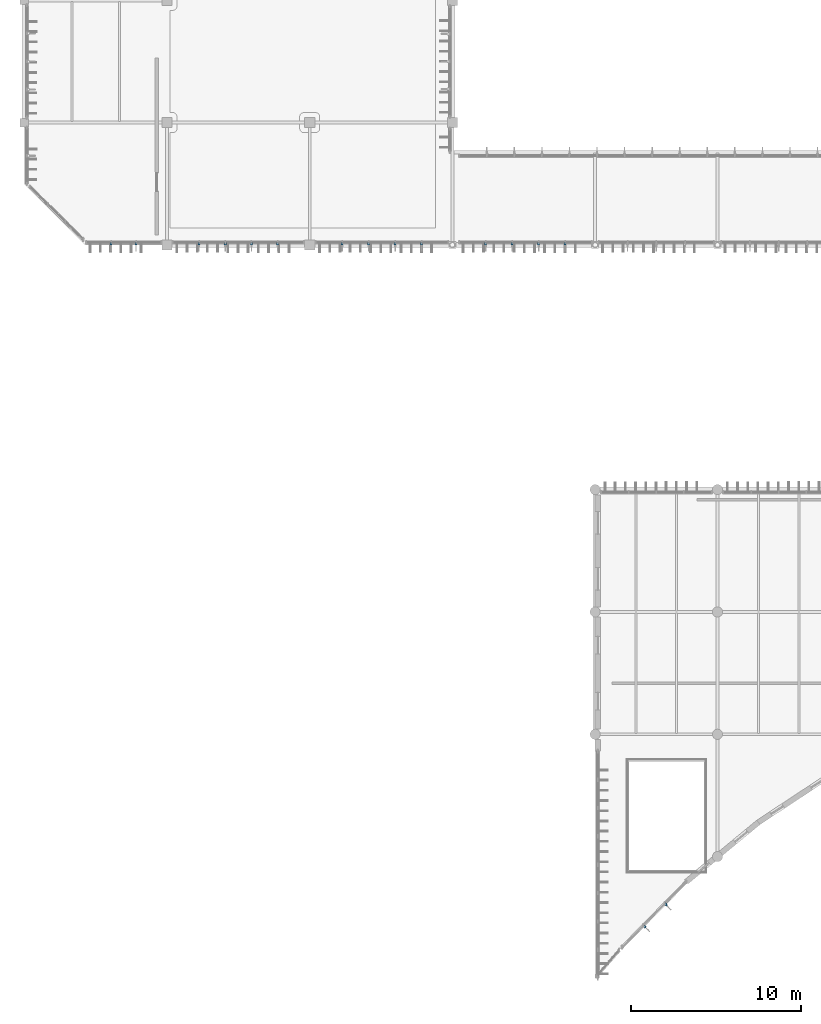
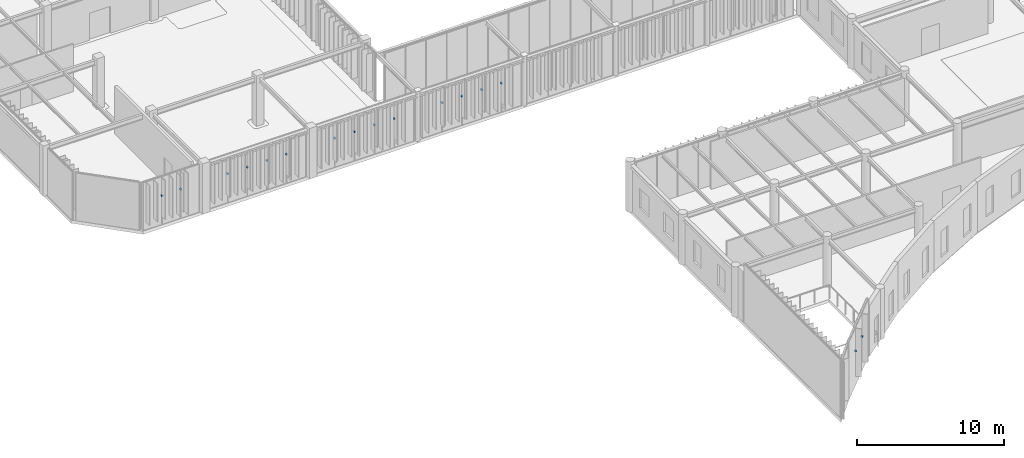
# One storey, part 49 of 104: 16 discrete accessories.
"""IFC4 building model written with IfcOpenShell, lengths in metres."""

from ifc_helpers import new_model, si_unit, direction, frame, origin, origin_2d, place, context, subcontext, project, spatial, rectangle, extrude, material, type_object, element, save


model = new_model("IFC4")

# Units and contexts
model_context = context("Model", 3, precision=1e-05, world=origin(), true_north=direction((0.0, 1.0)))
body_context = subcontext(model_context, "Body", "Model", "MODEL_VIEW")
ifc_project = project(units=[si_unit("LENGTHUNIT", "METRE"), si_unit("AREAUNIT", "SQUARE_METRE"), si_unit("VOLUMEUNIT", "CUBIC_METRE"), si_unit("PLANEANGLEUNIT", "RADIAN"), si_unit("MASSUNIT", "GRAM", prefix="KILO")], contexts=[model_context])

# Site, building, storey
site_placement = place(None, origin())
site = spatial("IfcSite", under=ifc_project, at=site_placement, CompositionType="ELEMENT")
building_placement = place(site_placement, origin())
building = spatial("IfcBuilding", under=site, at=building_placement, Name="Tazoul Stagehouse", CompositionType="ELEMENT")
storey_placement = place(building_placement, frame((0.0, 0.0, 9.0)))
storey = spatial("IfcBuildingStorey", under=building, at=storey_placement, Name="L02", CompositionType="ELEMENT", Elevation=9.0)

# Discrete accessories
ifc_material = material(Name="Austenitic Stainless Steel EN 1.4401", Category="steel")
discrete_accessory_type = type_object("IfcDiscreteAccessoryType", Name="Stainless Steel Louvre Support Cleat Bracket", PredefinedType="BRACKET", material=ifc_material)
for number, where, z_axis, x_axis, name in (
    (1, (38.899169921875, 4.4921875, 2.78564453125), (0.0, 0.0, 1.0), (0.700246698398, 0.713900946479, 0.0), "Cleat Bracket BRK-01 CW-V5-CRN-L02-C02-BRK01"),
    (2, (40.1572265625, 5.774658203125, 2.78564453125), (0.0, 0.0, 1.0), (0.700246698398, 0.713900946479, 0.0), "Cleat Bracket BRK-01 CW-V5-CRN-L02-C02-BRK02"),
    (3, (7.5166015625, 44.669921875, 2.359130859375), (0.0, 0.0, 1.0), (1.0, 0.0, 0.0), "Cleat Bracket BRK-01 CW-V6-S-L02-B1-BRK01"),
    (4, (8.9833984375, 44.669921875, 2.359130859375), (0.0, 0.0, 1.0), (1.0, 0.0, 0.0), "Cleat Bracket BRK-01 CW-V6-S-L02-B1-BRK02"),
    (5, (12.68994140625, 44.669921875, 2.359130859375), (0.0, 0.0, 1.0), (1.0, 0.0, 0.0), "Cleat Bracket BRK-01 CW-V6-S-L02-B2-BRK01"),
    (6, (14.22998046875, 44.669921875, 2.359130859375), (0.0, 0.0, 1.0), (1.0, 0.0, 0.0), "Cleat Bracket BRK-01 CW-V6-S-L02-B2-BRK02"),
    (7, (15.77001953125, 44.669921875, 2.359130859375), (0.0, 0.0, 1.0), (1.0, 0.0, 0.0), "Cleat Bracket BRK-01 CW-V6-S-L02-B2-BRK03"),
    (8, (17.31005859375, 44.669921875, 2.359130859375), (0.0, 0.0, 1.0), (1.0, 0.0, 0.0), "Cleat Bracket BRK-01 CW-V6-S-L02-B2-BRK04"),
    (9, (21.110107421875, 44.669921875, 2.359130859375), (0.0, 0.0, 1.0), (1.0, 0.0, 0.0), "Cleat Bracket BRK-01 CW-V6-S-L02-B3-BRK01"),
    (10, (22.669921875, 44.669921875, 2.359130859375), (0.0, 0.0, 1.0), (1.0, 0.0, 0.0), "Cleat Bracket BRK-01 CW-V6-S-L02-B3-BRK02"),
    (11, (24.22998046875, 44.669921875, 2.359130859375), (0.0, 0.0, 1.0), (1.0, 0.0, 0.0), "Cleat Bracket BRK-01 CW-V6-S-L02-B3-BRK03"),
    (12, (25.7900390625, 44.669921875, 2.359130859375), (0.0, 0.0, 1.0), (1.0, 0.0, 0.0), "Cleat Bracket BRK-01 CW-V6-S-L02-B3-BRK04"),
    (13, (29.5576171875, 44.669921875, 2.3486328125), (0.0, 0.0, 1.0), (1.0, 0.0, 0.0), "Cleat Bracket BRK-01 CW-WLNK-S-L02-B1-BRK01"),
    (14, (31.115234375, 44.669921875, 2.3486328125), (0.0, 0.0, 1.0), (1.0, 0.0, 0.0), "Cleat Bracket BRK-01 CW-WLNK-S-L02-B1-BRK02"),
    (15, (32.6728515625, 44.669921875, 2.3486328125), (0.0, 0.0, 1.0), (1.0, 0.0, 0.0), "Cleat Bracket BRK-01 CW-WLNK-S-L02-B1-BRK03"),
    (16, (34.23046875, 44.669921875, 2.3486328125), (0.0, 0.0, 1.0), (1.0, 0.0, 0.0), "Cleat Bracket BRK-01 CW-WLNK-S-L02-B1-BRK04"),
):
    element("IfcDiscreteAccessory", number, at=place(storey_placement, frame(where, z_axis=z_axis, x_axis=x_axis)), inside=storey, type_object=discrete_accessory_type, Name=name, PredefinedType="BRACKET", context=body_context, shape_type="SweptSolid", body=[
        extrude(rectangle(XDim=0.1201171875, YDim=0.159912109375, at=origin_2d()), origin(), (0.0, 0.0, 1.0), 0.1201171875),
    ])

save(model, "model.ifc")
